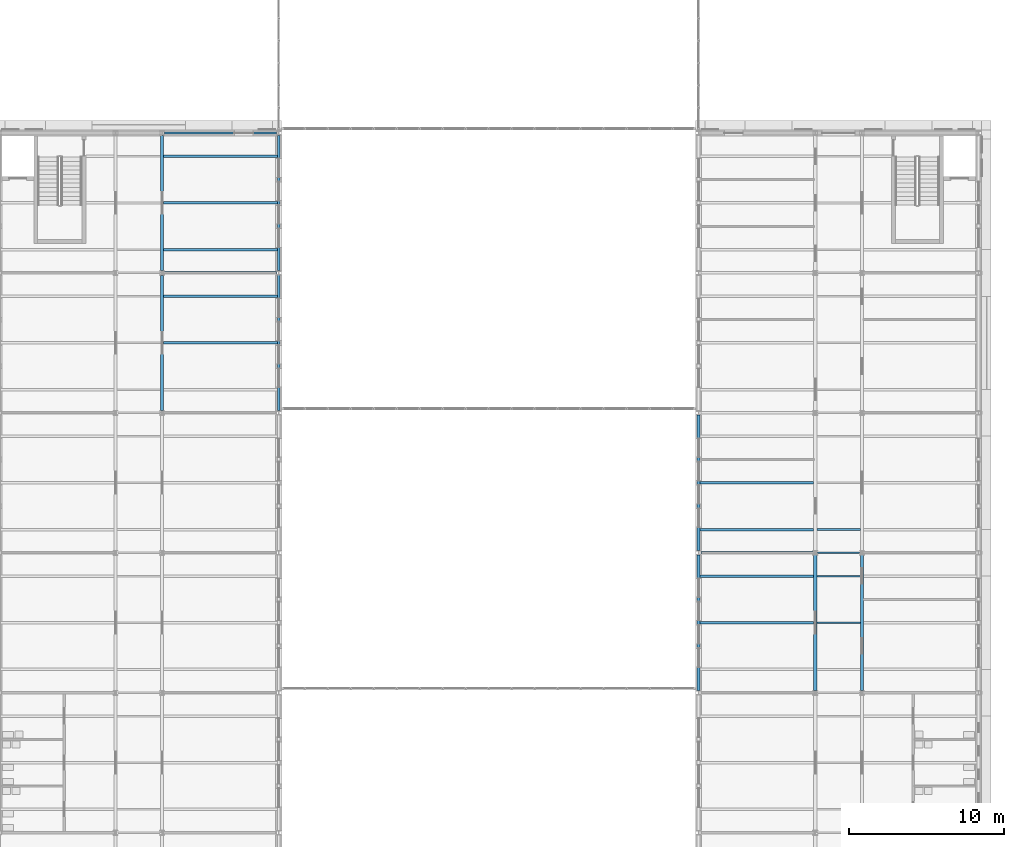
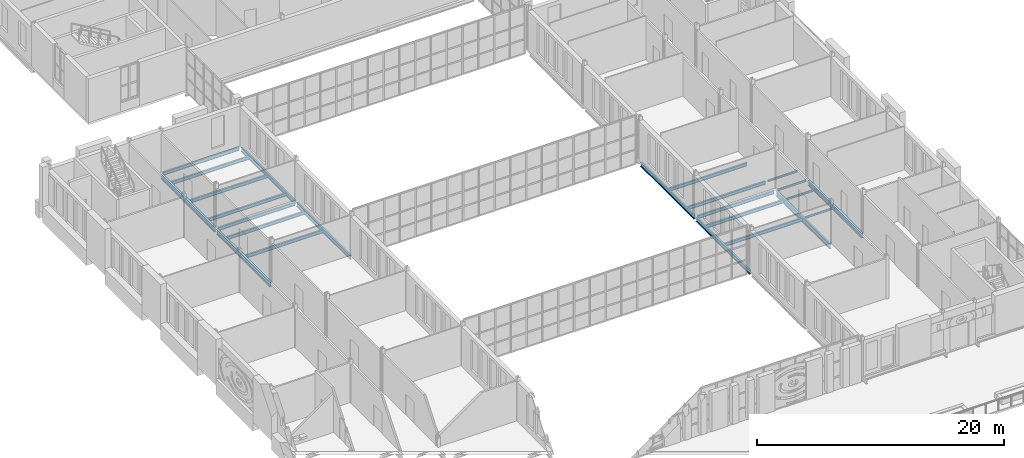
# One storey, part 34 of 134: 24 beams.
"""IFC4 building model written with IfcOpenShell, lengths in metres."""

from ifc_helpers import new_model, si_unit, direction, frame, origin, origin_2d, place, context, subcontext, project, spatial, i_section, extrude, material, material_profile, profile_set, type_object, element, save


model = new_model("IFC4")

# Units and contexts
model_context = context("Model", 3, precision=1e-05, world=origin(), true_north=direction((0.0, 1.0)))
body_context = subcontext(model_context, "Body", "Model", "MODEL_VIEW")
ifc_project = project(units=[si_unit("LENGTHUNIT", "METRE"), si_unit("AREAUNIT", "SQUARE_METRE"), si_unit("VOLUMEUNIT", "CUBIC_METRE"), si_unit("PLANEANGLEUNIT", "RADIAN"), si_unit("MASSUNIT", "GRAM", prefix="KILO")], contexts=[model_context])

# Site, building, storey
site_placement = place(None, origin())
site = spatial("IfcSite", under=ifc_project, at=site_placement, CompositionType="ELEMENT")
building_placement = place(site_placement, origin())
building = spatial("IfcBuilding", under=site, at=building_placement, Name="Golden Quay Civic Hall", CompositionType="ELEMENT")
storey_placement = place(building_placement, frame((0.0, 0.0, 5.39990234375)))
storey = spatial("IfcBuildingStorey", under=building, at=storey_placement, Name="L01", CompositionType="ELEMENT", Elevation=5.39990234375)

# Beams
ifc_material_1 = material(Name="Steel S355", Category="steel")
ifc_material_profile_1 = material_profile(ifc_material_1, i_section(OverallWidth=0.10009765625, OverallDepth=0.199951171875, WebThickness=0.005615234375, FlangeThickness=0.008544921875, FilletRadius=0.011962890625, at=origin_2d()), Name="IPE 200")
ifc_profile_set_1 = profile_set([ifc_material_profile_1], Name="Steel S355")
beam_type_1 = type_object("IfcBeamType", Name="Steel beam IPE 200", PredefinedType="BEAM", material=ifc_profile_set_1)
beam_1_placement = place(storey_placement, frame((106.64990234375, 27.0, -0.2998046875), z_axis=(1.0, 0.0, 0.0), x_axis=(0.0, 1.0, 0.0)))
element("IfcBeam", 1, at=beam_1_placement, inside=storey, type_object=beam_type_1, Name="Beam S27-106.5", PredefinedType="BEAM", context=body_context, shape_type="SweptSolid", body=[
    extrude(i_section(OverallWidth=0.10009765625, OverallDepth=0.199951171875, WebThickness=0.005615234375, FlangeThickness=0.008544921875, FilletRadius=0.011962890625, at=origin_2d()), origin(), (0.0, 0.0, 1.0), 2.7001953125),
])
ifc_material_2 = material(Name="Steel S355", Category="steel")
ifc_material_profile_2 = material_profile(ifc_material_2, i_section(OverallWidth=0.159912109375, OverallDepth=0.330078125, WebThickness=0.007568359375, FlangeThickness=0.011474609375, FilletRadius=0.01806640625, at=origin_2d()), Name="IPE 330")
ifc_profile_set_2 = profile_set([ifc_material_profile_2], Name="Steel S355")
beam_type_2 = type_object("IfcBeamType", Name="Steel beam IPE 330", PredefinedType="BEAM", material=ifc_profile_set_2)
for number, where, z_axis, x_axis, name in (
    (2, (64.64990234375, 45.0, -0.364990234375), (1.0, 0.0, 0.0), (0.0, 1.0, 0.0), "Beam S45-64.5"),
    (3, (64.64990234375, 54.0, -0.364990234375), (1.0, 0.0, 0.0), (0.0, 1.0, 0.0), "Beam S54-64.5"),
    (4, (99.14990234375, 27.0, -0.364990234375), (1.0, 0.0, 0.0), (0.0, 1.0, 0.0), "Beam S27-99"),
):
    element("IfcBeam", number, at=place(storey_placement, frame(where, z_axis=z_axis, x_axis=x_axis)), inside=storey, type_object=beam_type_2, Name=name, PredefinedType="BEAM", context=body_context, shape_type="SweptSolid", body=[
        extrude(i_section(OverallWidth=0.159912109375, OverallDepth=0.330078125, WebThickness=0.007568359375, FlangeThickness=0.011474609375, FilletRadius=0.01806640625, at=origin_2d()), origin(), (0.0, 0.0, 1.0), 7.2001953125),
    ])
ifc_material_3 = material(Name="Steel S355", Category="steel")
ifc_material_profile_3 = material_profile(ifc_material_3, i_section(OverallWidth=0.179931640625, OverallDepth=0.39990234375, WebThickness=0.008544921875, FlangeThickness=0.013427734375, FilletRadius=0.02099609375, at=origin_2d()), Name="IPE 400")
ifc_profile_set_3 = profile_set([ifc_material_profile_3], Name="Steel S355")
beam_type_3 = type_object("IfcBeamType", Name="Steel beam IPE 400", PredefinedType="BEAM", material=ifc_profile_set_3)
for number, where, z_axis, x_axis, name in (
    (5, (72.0, 36.14501953125, -0.39990234375), (0.0, 1.0, 0.0), (-1.0, 0.0, 0.0), "Beam L72-36"),
    (6, (72.0, 45.14501953125, -0.39990234375), (0.0, 1.0, 0.0), (-1.0, 0.0, 0.0), "Beam L72-45"),
    (7, (99.0, 18.14501953125, -0.39990234375), (0.0, 1.0, 0.0), (-1.0, 0.0, 0.0), "Beam L99-18"),
    (8, (99.0, 27.14501953125, -0.39990234375), (0.0, 1.0, 0.0), (-1.0, 0.0, 0.0), "Beam L99-27"),
):
    element("IfcBeam", number, at=place(storey_placement, frame(where, z_axis=z_axis, x_axis=x_axis)), inside=storey, type_object=beam_type_3, Name=name, PredefinedType="BEAM", context=body_context, shape_type="SweptSolid", body=[
        extrude(i_section(OverallWidth=0.179931640625, OverallDepth=0.39990234375, WebThickness=0.008544921875, FlangeThickness=0.013427734375, FilletRadius=0.02099609375, at=origin_2d()), origin(), (0.0, 0.0, 1.0), 8.7099609375),
    ])
ifc_material_4 = material(Name="Steel S355", Category="steel")
ifc_material_profile_4 = material_profile(ifc_material_4, i_section(OverallWidth=0.199951171875, OverallDepth=0.5, WebThickness=0.01025390625, FlangeThickness=0.01611328125, FilletRadius=0.02099609375, at=origin_2d()), Name="IPE 500")
ifc_profile_set_4 = profile_set([ifc_material_profile_4], Name="Steel S355")
beam_type_4 = type_object("IfcBeamType", Name="Steel beam IPE 500", PredefinedType="BEAM", material=ifc_profile_set_4)
beam_2_placement = place(storey_placement, frame((64.5, 36.14990234375, -0.449951171875), z_axis=(0.0, 1.0, 0.0), x_axis=(-1.0, 0.0, 0.0)))
element("IfcBeam", 9, at=beam_2_placement, inside=storey, type_object=beam_type_4, Name="Beam L64.5-36", PredefinedType="BEAM", context=body_context, shape_type="SweptSolid", body=[
    extrude(i_section(OverallWidth=0.199951171875, OverallDepth=0.5, WebThickness=0.01025390625, FlangeThickness=0.01611328125, FilletRadius=0.02099609375, at=origin_2d()), origin(), (0.0, 0.0, 1.0), 8.7001953125),
])
beam_3_placement = place(storey_placement, frame((64.5, 45.14990234375, -0.449951171875), z_axis=(0.0, 1.0, 0.0), x_axis=(-1.0, 0.0, 0.0)))
element("IfcBeam", 10, at=beam_3_placement, inside=storey, type_object=beam_type_4, Name="Beam L64.5-45", PredefinedType="BEAM", context=body_context, shape_type="SweptSolid", body=[
    extrude(i_section(OverallWidth=0.199951171875, OverallDepth=0.5, WebThickness=0.01025390625, FlangeThickness=0.01611328125, FilletRadius=0.02099609375, at=origin_2d()), origin(), (0.0, 0.0, 1.0), 8.705078125),
])
for number, where, z_axis, x_axis, name in (
    (11, (106.5, 18.14990234375, -0.449951171875), (0.0, 1.0, 0.0), (-1.0, 0.0, 0.0), "Beam L106.5-18"),
    (12, (109.5, 18.14990234375, -0.449951171875), (0.0, 1.0, 0.0), (-1.0, 0.0, 0.0), "Beam L109.5-18"),
):
    element("IfcBeam", number, at=place(storey_placement, frame(where, z_axis=z_axis, x_axis=x_axis)), inside=storey, type_object=beam_type_4, Name=name, PredefinedType="BEAM", context=body_context, shape_type="SweptSolid", body=[
        extrude(i_section(OverallWidth=0.199951171875, OverallDepth=0.5, WebThickness=0.01025390625, FlangeThickness=0.01611328125, FilletRadius=0.02099609375, at=origin_2d()), origin(), (0.0, 0.0, 1.0), 8.7001953125),
    ])
ifc_material_5 = material(Name="Steel S355", Category="steel")
ifc_material_profile_5 = material_profile(ifc_material_5, i_section(OverallWidth=0.10009765625, OverallDepth=0.199951171875, WebThickness=0.005615234375, FlangeThickness=0.008544921875, FilletRadius=0.011962890625, at=origin_2d()), Name="IPE 200")
ifc_profile_set_5 = profile_set([ifc_material_profile_5], Name="Steel S355")
beam_type_5 = type_object("IfcBeamType", Name="Steel joist IPE 200", PredefinedType="JOIST", material=ifc_profile_set_5)
for number, where, z_axis, x_axis, name in (
    (13, (106.60009765625, 22.5, -0.2998046875), (1.0, 0.0, 0.0), (0.0, 1.0, 0.0), "Joist J22.5-106.5"),
    (14, (106.60009765625, 25.5, -0.2998046875), (1.0, 0.0, 0.0), (0.0, 1.0, 0.0), "Joist J25.5-106.5"),
    (15, (106.60009765625, 28.5, -0.2998046875), (1.0, 0.0, 0.0), (0.0, 1.0, 0.0), "Joist J28.5-106.5"),
):
    element("IfcBeam", number, at=place(storey_placement, frame(where, z_axis=z_axis, x_axis=x_axis)), inside=storey, type_object=beam_type_5, Name=name, PredefinedType="JOIST", context=body_context, shape_type="SweptSolid", body=[
        extrude(i_section(OverallWidth=0.10009765625, OverallDepth=0.199951171875, WebThickness=0.005615234375, FlangeThickness=0.008544921875, FilletRadius=0.011962890625, at=origin_2d()), origin(), (0.0, 0.0, 1.0), 2.7998046875),
    ])
ifc_material_6 = material(Name="Steel S355", Category="steel")
ifc_material_profile_6 = material_profile(ifc_material_6, i_section(OverallWidth=0.159912109375, OverallDepth=0.330078125, WebThickness=0.007568359375, FlangeThickness=0.011474609375, FilletRadius=0.01806640625, at=origin_2d()), Name="IPE 330")
ifc_profile_set_6 = profile_set([ifc_material_profile_6], Name="Steel S355")
beam_type_6 = type_object("IfcBeamType", Name="Steel joist IPE 330", PredefinedType="JOIST", material=ifc_profile_set_6)
for number, where, z_axis, x_axis, name in (
    (16, (64.60009765625, 40.5, -0.364990234375), (1.0, 0.0, 0.0), (0.0, 1.0, 0.0), "Joist J40.5-64.5"),
    (17, (64.60009765625, 43.5, -0.364990234375), (1.0, 0.0, 0.0), (0.0, 1.0, 0.0), "Joist J43.5-64.5"),
    (18, (64.60009765625, 46.5, -0.364990234375), (1.0, 0.0, 0.0), (0.0, 1.0, 0.0), "Joist J46.5-64.5"),
    (19, (64.60009765625, 49.5, -0.364990234375), (1.0, 0.0, 0.0), (0.0, 1.0, 0.0), "Joist J49.5-64.5"),
    (20, (64.60009765625, 52.5, -0.364990234375), (1.0, 0.0, 0.0), (0.0, 1.0, 0.0), "Joist J52.5-64.5"),
    (21, (99.090087890625, 22.5, -0.364990234375), (1.0, 0.0, 0.0), (0.0, 1.0, 0.0), "Joist J22.5-99"),
    (22, (99.090087890625, 25.5, -0.364990234375), (1.0, 0.0, 0.0), (0.0, 1.0, 0.0), "Joist J25.5-99"),
    (23, (99.090087890625, 28.5, -0.364990234375), (1.0, 0.0, 0.0), (0.0, 1.0, 0.0), "Joist J28.5-99"),
    (24, (99.090087890625, 31.5, -0.364990234375), (1.0, 0.0, 0.0), (0.0, 1.0, 0.0), "Joist J31.5-99"),
):
    element("IfcBeam", number, at=place(storey_placement, frame(where, z_axis=z_axis, x_axis=x_axis)), inside=storey, type_object=beam_type_6, Name=name, PredefinedType="JOIST", context=body_context, shape_type="SweptSolid", body=[
        extrude(i_section(OverallWidth=0.159912109375, OverallDepth=0.330078125, WebThickness=0.007568359375, FlangeThickness=0.011474609375, FilletRadius=0.01806640625, at=origin_2d()), origin(), (0.0, 0.0, 1.0), 7.309814453125),
    ])

save(model, "model.ifc")
